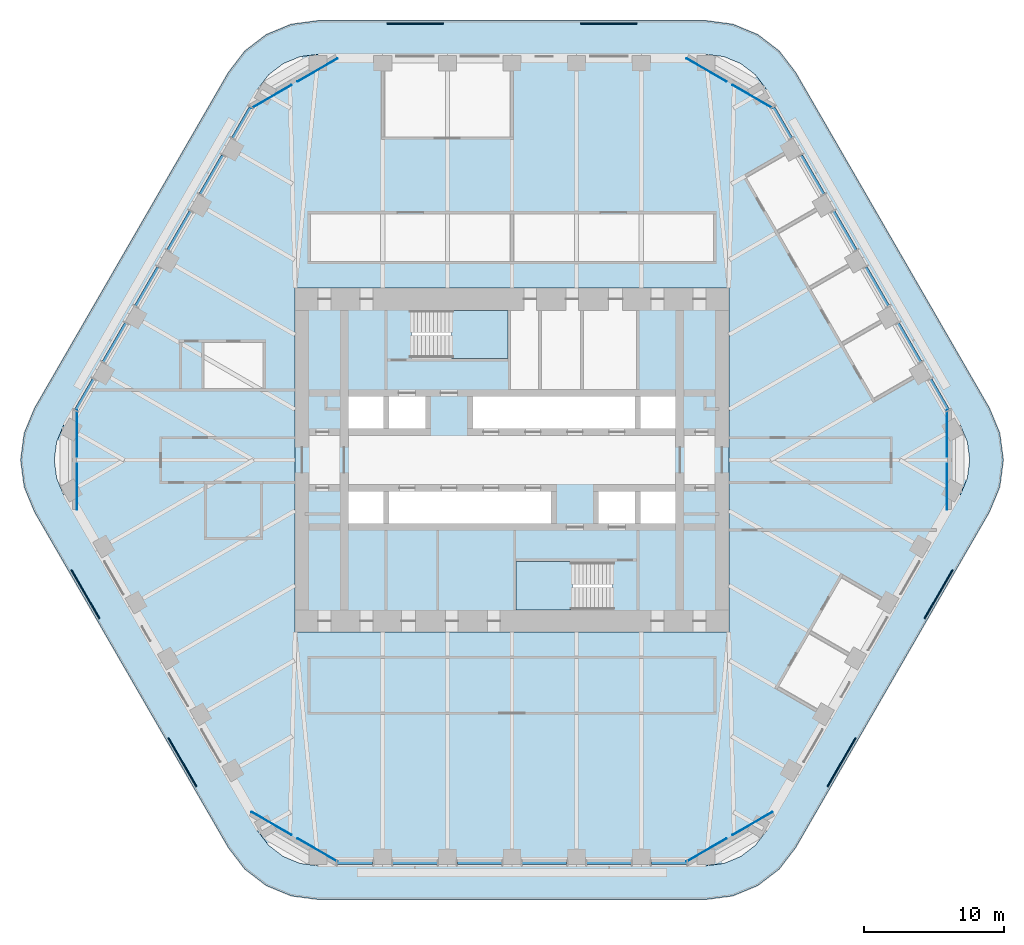
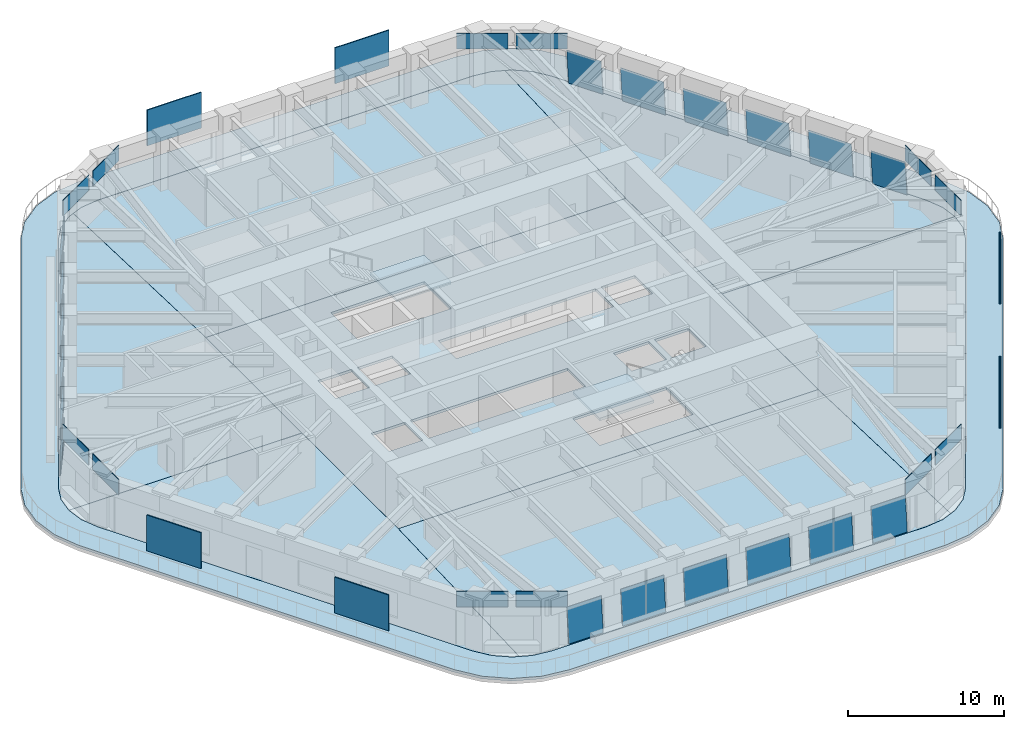
# One storey, part 13 of 20: 36 plates, 10 slabs, 20 elements without a shape of their own.
"""IFC4 building model written with IfcOpenShell, lengths in metres."""

import ifcopenshell
import ifcopenshell.guid

model = None  # the IFC model being written
_history = None  # IfcOwnerHistory: only IFC2X3 demands one
_inside = {}  # id of a spatial element -> (the spatial element, [elements in it])
_under = {}  # id of a project, library or spatial element -> (it, [spatial elements below it])
_declared = {}  # id of a project -> (the project, [libraries it declares])
_typed = {}  # id of a type object -> (the type object, [elements of that type])
_made_of = {}  # id of a material, layer set ... -> (it, [elements and type objects made of it])


def new_model(schema):
    """Start an empty IFC model of exactly this schema.

    Asked for "IFC4X3", IfcOpenShell would pick the latest addendum, in which some entities
    have other attributes; the version numbers below select the first issue.
    IFC2X3 requires an IfcOwnerHistory on every rooted entity: one is made here for all.
    """
    global model, _history
    if schema == "IFC4X3":
        model = ifcopenshell.file(schema_version=(4, 3, 0, 0))
    else:
        model = ifcopenshell.file(schema=schema)
    _inside.clear()
    _under.clear()
    _declared.clear()
    _typed.clear()
    _made_of.clear()
    _history = None
    if model.schema == "IFC2X3":
        org = make("IfcOrganization", Name="unknown")
        user = make(
            "IfcPersonAndOrganization",
            ThePerson=make("IfcPerson", FamilyName="unknown"),
            TheOrganization=org,
        )
        app = make(
            "IfcApplication",
            ApplicationDeveloper=org,
            Version="unknown",
            ApplicationFullName="unknown",
            ApplicationIdentifier="unknown",
        )
        _history = make(
            "IfcOwnerHistory",
            OwningUser=user,
            OwningApplication=app,
            ChangeAction="ADDED",
            CreationDate=0,
        )
    return model


def make(cls, **values):
    """One entity of the class cls with the attributes given. An attribute that is None is left unset."""
    return model.create_entity(
        cls, **{name: value for name, value in values.items() if value is not None}
    )


def rooted(cls, **values):
    """An entity with a GlobalId (a new one), such as an element, a storey or a relation."""
    return make(cls, GlobalId=ifcopenshell.guid.new(), OwnerHistory=_history, **values)


def si_unit(unit_type, name, prefix=None):
    """IfcSIUnit, for example si_unit("LENGTHUNIT", "METRE", prefix="MILLI")."""
    return make("IfcSIUnit", UnitType=unit_type, Prefix=prefix, Name=name)


def assignment(units):
    """IfcUnitAssignment: the units of a project."""
    return None if units is None else make("IfcUnitAssignment", Units=units)


def point(xyz):
    """IfcCartesianPoint."""
    return None if xyz is None else make("IfcCartesianPoint", Coordinates=xyz)


def direction(xyz):
    """IfcDirection."""
    return None if xyz is None else make("IfcDirection", DirectionRatios=xyz)


def frame(location, z_axis=None, x_axis=None):
    """IfcAxis2Placement3D, a coordinate frame: its origin and axes. An axis left out is left unset."""
    return make(
        "IfcAxis2Placement3D",
        Location=point(location),
        Axis=direction(z_axis),
        RefDirection=direction(x_axis),
    )


def frame_2d(location, x_axis=None):
    """IfcAxis2Placement2D, a coordinate frame in the plane: its origin and x axis."""
    return make(
        "IfcAxis2Placement2D", Location=point(location), RefDirection=direction(x_axis)
    )


def origin():
    """The frame at (0, 0, 0) with its axes left unset."""
    return frame((0.0, 0.0, 0.0))


def origin_2d():
    """The frame at (0, 0) in the plane with its x axis left unset."""
    return frame_2d((0.0, 0.0))


def place(relative_to, where):
    """IfcLocalPlacement: puts the frame where relative to a parent placement (None: the world)."""
    return make(
        "IfcLocalPlacement", PlacementRelTo=relative_to, RelativePlacement=where
    )


def context(
    kind, dimensions, precision=None, world=None, true_north=None, identifier=None
):
    """IfcGeometricRepresentationContext, for example the 3D "Model" context."""
    return make(
        "IfcGeometricRepresentationContext",
        ContextIdentifier=identifier,
        ContextType=kind,
        CoordinateSpaceDimension=dimensions,
        Precision=precision,
        WorldCoordinateSystem=world,
        TrueNorth=true_north,
    )


def subcontext(parent, identifier, kind, view, scale=None):
    """IfcGeometricRepresentationSubContext, for example "Body" below "Model"."""
    return make(
        "IfcGeometricRepresentationSubContext",
        ContextIdentifier=identifier,
        ContextType=kind,
        ParentContext=parent,
        TargetScale=scale,
        TargetView=view,
    )


def project(units=None, contexts=None):
    """IfcProject with its units and contexts."""
    return rooted(
        "IfcProject",
        Name="project",
        RepresentationContexts=contexts,
        UnitsInContext=assignment(units),
    )


def spatial(cls, under=None, at=None, **own):
    """A site, building, storey or space (cls), placed at a placement, below another one or the project."""
    s = rooted(cls, ObjectPlacement=at, **own)
    if under is not None:
        _under.setdefault(under.id(), (under, []))[1].append(s)
    return s


def polyline(points):
    """IfcPolyline through the points."""
    return make("IfcPolyline", Points=[point(p) for p in points])


def profile(cls, at=None, kind="AREA", **sizes):
    """A parametric profile (cls). Its sizes go by their IFC names, for example OverallWidth=200.0."""
    return make(cls, ProfileType=kind, Position=at, **sizes)


def rectangle(**sizes):
    """IfcRectangleProfileDef."""
    return profile("IfcRectangleProfileDef", **sizes)


def outline(outer, holes=None, kind="AREA"):
    """IfcArbitraryClosedProfileDef: a profile drawn as a closed curve; with holes, ...WithVoids."""
    if holes is None:
        return make("IfcArbitraryClosedProfileDef", ProfileType=kind, OuterCurve=outer)
    return make(
        "IfcArbitraryProfileDefWithVoids",
        ProfileType=kind,
        OuterCurve=outer,
        InnerCurves=holes,
    )


def extrude(swept, where, along, depth):
    """IfcExtrudedAreaSolid: the profile swept, set in the frame where, extruded along a direction by depth."""
    return make(
        "IfcExtrudedAreaSolid",
        SweptArea=swept,
        Position=where,
        ExtrudedDirection=direction(along),
        Depth=depth,
    )


def shape(context_of_items, identifier, shape_type, items):
    """IfcShapeRepresentation: the items that make up one representation, for example the "Body"."""
    return make(
        "IfcShapeRepresentation",
        ContextOfItems=context_of_items,
        RepresentationIdentifier=identifier,
        RepresentationType=shape_type,
        Items=items,
    )


def material(Name=None, Category=None):
    """IfcMaterial."""
    return make("IfcMaterial", Name=Name, Category=Category)


def layer(
    of_material, thickness, ventilated=None, Name=None, Category=None, Priority=None
):
    """IfcMaterialLayer: one layer of a wall or slab, of a material (None: an air gap)."""
    return make(
        "IfcMaterialLayer",
        Material=of_material,
        LayerThickness=thickness,
        IsVentilated=ventilated,
        Name=Name,
        Category=Category,
        Priority=Priority,
    )


def layer_set(layers, Name=None):
    """IfcMaterialLayerSet."""
    return make("IfcMaterialLayerSet", MaterialLayers=layers, LayerSetName=Name)


def made_of(thing, what):
    """Note that an element or type object is made of a material, layer set ...; save() writes the relation."""
    if what is not None:
        _made_of.setdefault(what.id(), (what, []))[1].append(thing)
    return thing


def type_object(cls, material=None, **own):
    """A type object (cls), such as IfcWallType, which elements share."""
    return made_of(rooted(cls, **own), material)


def element(
    cls,
    number,
    at=None,
    inside=None,
    cuts=None,
    type_object=None,
    material=None,
    context=None,
    identifier="Body",
    shape_type=None,
    held_by="IfcProductDefinitionShape",
    body=None,
    shapes=None,
    **own,
):
    """One element of the class cls, such as IfcWall. Its Tag is "e" and its number.

    at: its placement. inside: the storey or other place that contains it. cuts: it is an
    opening in that element (IfcRelVoidsElement). A single representation is given by context,
    identifier, shape_type and body (its items); several are given by shapes. held_by: the class
    of the entity that holds the representations. save() writes the other relations.
    """
    e = rooted(cls, Tag="e%d" % number, ObjectPlacement=at, **own)
    if body is not None:
        shapes = [shape(context, identifier, shape_type, body)]
    if shapes is not None:
        e.Representation = make(held_by, Representations=shapes)
    if inside is not None:
        _inside.setdefault(inside.id(), (inside, []))[1].append(e)
    if cuts is not None:
        rooted(
            "IfcRelVoidsElement", RelatingBuildingElement=cuts, RelatedOpeningElement=e
        )
    if type_object is not None:
        _typed.setdefault(type_object.id(), (type_object, []))[1].append(e)
    return made_of(e, material)


def aggregate(whole, parts):
    """IfcRelAggregates: a whole, such as a stair, and the parts it consists of."""
    return rooted("IfcRelAggregates", RelatingObject=whole, RelatedObjects=parts)


def save(model, path):
    """Write the relations noted so far, then the file.

    IfcRelAggregates (storeys below a building ...), IfcRelContainedInSpatialStructure (elements
    in a storey), IfcRelDefinesByType, IfcRelAssociatesMaterial and IfcRelDeclares: one each for
    every whole, place, type object, material and project.
    """
    for whole, parts in _under.values():
        aggregate(whole, parts)
    for where, things in _inside.values():
        rooted(
            "IfcRelContainedInSpatialStructure",
            RelatedElements=things,
            RelatingStructure=where,
        )
    for kind, things in _typed.values():
        rooted("IfcRelDefinesByType", RelatedObjects=things, RelatingType=kind)
    for what, things in _made_of.values():
        rooted("IfcRelAssociatesMaterial", RelatedObjects=things, RelatingMaterial=what)
    for by, libraries in _declared.values():
        rooted("IfcRelDeclares", RelatingContext=by, RelatedDefinitions=libraries)
    model.write(path)


model = new_model("IFC4")

# Units and contexts
model_context = context("Model", 3, precision=1e-05, world=origin(), true_north=direction((0.0, 1.0)))
body_context = subcontext(model_context, "Body", "Model", "MODEL_VIEW")
ifc_project = project(units=[si_unit("LENGTHUNIT", "METRE"), si_unit("AREAUNIT", "SQUARE_METRE"), si_unit("VOLUMEUNIT", "CUBIC_METRE"), si_unit("PLANEANGLEUNIT", "RADIAN"), si_unit("MASSUNIT", "GRAM", prefix="KILO")], contexts=[model_context])

# Site, building, storey
site_placement = place(None, origin())
site = spatial("IfcSite", under=ifc_project, at=site_placement, CompositionType="ELEMENT")
building_placement = place(site_placement, origin())
building = spatial("IfcBuilding", under=site, at=building_placement, Name="Tarfa Lantern Tower", CompositionType="ELEMENT")
storey_placement = place(building_placement, frame((0.0, 0.0, 236.5)))
storey = spatial("IfcBuildingStorey", under=building, at=storey_placement, Name="L53", CompositionType="ELEMENT", Elevation=236.5)

# Slab
ifc_material_1 = material(Name="Concrete C40/50", Category="concrete")
ifc_layer_1 = layer(ifc_material_1, 0.199951171875)
ifc_layer_set_1 = layer_set([ifc_layer_1], Name="BS2 BALCONY SLAB 200")
slab_type_1 = type_object("IfcSlabType", Name="BS2 BALCONY SLAB 200", PredefinedType="FLOOR", material=ifc_layer_set_1)
slab_1_placement = place(storey_placement, frame((0.0, 0.0, -0.199951171875)))
element("IfcSlab", 1, at=slab_1_placement, inside=storey, type_object=slab_type_1, Name="Balcony L53", PredefinedType="FLOOR", context=body_context, shape_type="SweptSolid", body=[
    extrude(outline(polyline([(34.121337890625, 3.699951171875), (20.264892578125, 27.699951171875), (19.089111328125, 29.232666015625), (17.556396484375, 30.40869140625), (15.771728515625, 31.14794921875), (13.8564453125, 31.39990234375), (-13.8564453125, 31.39990234375), (-15.771728515625, 31.14794921875), (-17.556396484375, 30.40869140625), (-19.089111328125, 29.232666015625), (-20.264892578125, 27.699951171875), (-34.121337890625, 3.699951171875), (-34.860595703125, 1.915283203125), (-35.11279296875, 0.0), (-34.860595703125, -1.915283203125), (-34.121337890625, -3.699951171875), (-20.264892578125, -27.699951171875), (-19.089111328125, -29.232666015625), (-17.556396484375, -30.40869140625), (-15.771728515625, -31.14794921875), (-13.8564453125, -31.39990234375), (13.8564453125, -31.39990234375), (15.771728515625, -31.14794921875), (17.556396484375, -30.40869140625), (19.089111328125, -29.232666015625), (20.264892578125, -27.699951171875), (34.121337890625, -3.699951171875), (34.860595703125, -1.915283203125), (35.11279296875, 0.0), (34.860595703125, 1.915283203125), (34.121337890625, 3.699951171875)]), holes=[polyline([(32.04296875, 2.5), (18.1865234375, 26.5), (17.391845703125, 27.53564453125), (16.3564453125, 28.330078125), (15.150390625, 28.82958984375), (13.8564453125, 29.0), (-13.8564453125, 29.0), (-15.150390625, 28.82958984375), (-16.3564453125, 28.330078125), (-17.391845703125, 27.53564453125), (-18.1865234375, 26.5), (-32.04296875, 2.5), (-32.54248046875, 1.294189453125), (-32.712890625, 0.0), (-32.54248046875, -1.294189453125), (-32.04296875, -2.5), (-18.1865234375, -26.5), (-17.391845703125, -27.53564453125), (-16.3564453125, -28.330078125), (-15.150390625, -28.82958984375), (-13.8564453125, -29.0), (13.8564453125, -29.0), (15.150390625, -28.82958984375), (16.3564453125, -28.330078125), (17.391845703125, -27.53564453125), (18.1865234375, -26.5), (32.04296875, -2.5), (32.54248046875, -1.294189453125), (32.712890625, 0.0), (32.54248046875, 1.294189453125), (32.04296875, 2.5)])]), origin(), (0.0, 0.0, 1.0), 0.199951171875),
])

# Curtain wall, plate
ifc_material_2 = material(Name="Aluminium framed curtain wall", Category="aluminium")
curtain_wall_type = type_object("IfcCurtainWallType", Name="CW3 CANTED GLAZING HIGH ZONE 2800", PredefinedType="USERDEFINED", material=ifc_material_2)
curtain_wall_1_placement = place(storey_placement, origin())
curtain_wall_1 = element("IfcCurtainWall", 2, at=curtain_wall_1_placement, inside=storey, type_object=curtain_wall_type, Name="CW3 NE L53", ObjectType="CURTAIN WALL", PredefinedType="USERDEFINED")
ifc_material_3 = material(Name="Laminated double glazing", Category="glass")
ifc_layer_2 = layer(ifc_material_3, 0.028076171875)
ifc_layer_set_2 = layer_set([ifc_layer_2], Name="CWP1 DOUBLE GLAZED PANEL")
plate_type_1 = type_object("IfcPlateType", Name="CWP1 DOUBLE GLAZED PANEL", PredefinedType="CURTAIN_PANEL", material=ifc_layer_set_2)
plate_1_placement = place(storey_placement, frame((31.27392578125, 3.632080078125, 0.0), z_axis=(0.862597812181, 0.498009918325, 0.088944565154), x_axis=(-0.499991881386, 0.86603009101, 3.688828e-06)))
plate_1 = element("IfcPlate", 3, at=plate_1_placement, type_object=plate_type_1, Name="CW3 panel 1.1", PredefinedType="CURTAIN_PANEL", context=body_context, shape_type="SweptSolid", body=[
    extrude(outline(polyline([(0.0, 0.0), (2.5389220661234515, 0.0), (2.5389267657622057, 2.7459815404071932), (0.0001267679691709482, 2.7460003457862903), (0.0, 0.0)])), origin(), (0.0, 0.0, -1.0), 0.028076171875),
])
aggregate(curtain_wall_1, [plate_1])

curtain_wall_2_placement = place(storey_placement, origin())
curtain_wall_2 = element("IfcCurtainWall", 4, at=curtain_wall_2_placement, inside=storey, type_object=curtain_wall_type, Name="CW3 NE L53", ObjectType="CURTAIN WALL", PredefinedType="USERDEFINED")
plate_2_placement = place(storey_placement, frame((29.28955078125, 7.069091796875, 0.0), z_axis=(0.862609034743, 0.49799047926, 0.088944565584), x_axis=(-0.499972306845, 0.86604139184, 2.936936e-06)))
plate_2 = element("IfcPlate", 5, at=plate_2_placement, type_object=plate_type_1, Name="CW3 panel 1.1", PredefinedType="CURTAIN_PANEL", context=body_context, shape_type="SweptSolid", body=[
    extrude(outline(polyline([(0.0, 0.0), (3.188959804808154, 0.0), (3.188956929880909, 2.745981540409657), (0.00011918862423093281, 2.746000346125675), (0.0, 0.0)])), origin(), (0.0, 0.0, -1.0), 0.028076171875),
])
aggregate(curtain_wall_2, [plate_2])

curtain_wall_3_placement = place(storey_placement, origin())
curtain_wall_3 = element("IfcCurtainWall", 6, at=curtain_wall_3_placement, inside=storey, type_object=curtain_wall_type, Name="CW3 NE L53", ObjectType="CURTAIN WALL", PredefinedType="USERDEFINED")
plate_3_placement = place(storey_placement, frame((26.97998046875, 11.069091796875, 0.0), z_axis=(0.862609034743, 0.49799047926, 0.088944565584), x_axis=(-0.499971852573, 0.866041654094, -2.937048e-06)))
plate_3 = element("IfcPlate", 7, at=plate_3_placement, type_object=plate_type_1, Name="CW3 panel 1.1", PredefinedType="CURTAIN_PANEL", context=body_context, shape_type="SweptSolid", body=[
    extrude(outline(polyline([(0.0, 0.0), (3.1888377413121303, 0.0), (3.188940735790754, 2.746000346780822), (-1.9068961945883972e-05, 2.745981540344952), (0.0, 0.0)])), origin(), (0.0, 0.0, -1.0), 0.028076171875),
])
aggregate(curtain_wall_3, [plate_3])

curtain_wall_4_placement = place(storey_placement, origin())
curtain_wall_4 = element("IfcCurtainWall", 8, at=curtain_wall_4_placement, inside=storey, type_object=curtain_wall_type, Name="CW3 NE L53", ObjectType="CURTAIN WALL", PredefinedType="USERDEFINED")
plate_4_placement = place(storey_placement, frame((24.670654296875, 15.069091796875, 0.0), z_axis=(0.862595478395, 0.498020780534, 0.088906371022), x_axis=(-0.500000789788, 0.8660249478, 0.0)))
plate_4 = element("IfcPlate", 9, at=plate_4_placement, type_object=plate_type_1, Name="CW3 panel 1.1", PredefinedType="CURTAIN_PANEL", context=body_context, shape_type="SweptSolid", body=[
    extrude(outline(polyline([(0.0, 0.0), (3.1889598065466314, 2.7755575615628914e-17), (3.1889569281424333, 2.74598154242858), (-2.8784041983250337e-06, 2.74598154242858), (0.0, 0.0)])), origin(), (0.0, 0.0, -1.0), 0.028076171875),
])
aggregate(curtain_wall_4, [plate_4])

curtain_wall_5_placement = place(storey_placement, origin())
curtain_wall_5 = element("IfcCurtainWall", 10, at=curtain_wall_5_placement, inside=storey, type_object=curtain_wall_type, Name="CW3 NE L53", ObjectType="CURTAIN WALL", PredefinedType="USERDEFINED")
plate_5_placement = place(storey_placement, frame((22.361328125, 19.069091796875, 0.0), z_axis=(0.862609034743, 0.49799047926, 0.088944565584), x_axis=(-0.499972306845, 0.86604139184, 2.936936e-06)))
plate_5 = element("IfcPlate", 11, at=plate_5_placement, type_object=plate_type_1, Name="CW3 panel 1.1", PredefinedType="CURTAIN_PANEL", context=body_context, shape_type="SweptSolid", body=[
    extrude(outline(polyline([(0.0, 0.0), (3.188959804808154, 0.0), (3.188956929880909, 2.745981540409657), (0.00011918862423093281, 2.746000346125675), (0.0, 0.0)])), origin(), (0.0, 0.0, -1.0), 0.028076171875),
])
aggregate(curtain_wall_5, [plate_5])

curtain_wall_6_placement = place(storey_placement, origin())
curtain_wall_6 = element("IfcCurtainWall", 12, at=curtain_wall_6_placement, inside=storey, type_object=curtain_wall_type, Name="CW3 NE L53", ObjectType="CURTAIN WALL", PredefinedType="USERDEFINED")
plate_6_placement = place(storey_placement, frame((20.0517578125, 23.069091796875, 0.0), z_axis=(0.862621501949, 0.497975703823, 0.088906370847), x_axis=(-0.499955533855, 0.866051074803, 0.0)))
plate_6 = element("IfcPlate", 13, at=plate_6_placement, type_object=plate_type_1, Name="CW3 panel 1.1", PredefinedType="CURTAIN_PANEL", context=body_context, shape_type="SweptSolid", body=[
    extrude(outline(polyline([(0.0, 0.0), (2.538800000046309, -1.3877787807814457e-17), (2.538784364039763, 2.745981542385572), (-1.5636006546276837e-05, 2.745981542385572), (0.0, 0.0)])), origin(), (0.0, 0.0, -1.0), 0.028076171875),
])
aggregate(curtain_wall_6, [plate_6])

curtain_wall_7_placement = place(storey_placement, origin())
curtain_wall_7 = element("IfcCurtainWall", 14, at=curtain_wall_7_placement, inside=storey, type_object=curtain_wall_type, Name="CW3 NW L53", ObjectType="CURTAIN WALL", PredefinedType="USERDEFINED")
plate_7_placement = place(storey_placement, frame((-18.782470703125, 25.267822265625, 0.0), z_axis=(-0.862621501949, 0.497975703823, 0.088906370847), x_axis=(-0.499955533855, -0.866051074803, 0.0)))
plate_7 = element("IfcPlate", 15, at=plate_7_placement, type_object=plate_type_1, Name="CW3 panel 1.1", PredefinedType="CURTAIN_PANEL", context=body_context, shape_type="SweptSolid", body=[
    extrude(outline(polyline([(0.0, 0.0), (2.538800000046309, 1.3877787807814457e-17), (2.5388156360528553, 2.745981542385572), (1.5636006546276837e-05, 2.745981542385572), (0.0, 0.0)])), origin(), (0.0, 0.0, -1.0), 0.028076171875),
])
aggregate(curtain_wall_7, [plate_7])

curtain_wall_8_placement = place(storey_placement, origin())
curtain_wall_8 = element("IfcCurtainWall", 16, at=curtain_wall_8_placement, inside=storey, type_object=curtain_wall_type, Name="CW3 NW L53", ObjectType="CURTAIN WALL", PredefinedType="USERDEFINED")
plate_8_placement = place(storey_placement, frame((-20.766845703125, 21.830810546875, 0.0), z_axis=(-0.862609034743, 0.49799047926, 0.088944565584), x_axis=(-0.499972306845, -0.86604139184, -2.936936e-06)))
plate_8 = element("IfcPlate", 17, at=plate_8_placement, type_object=plate_type_1, Name="CW3 panel 1.1", PredefinedType="CURTAIN_PANEL", context=body_context, shape_type="SweptSolid", body=[
    extrude(outline(polyline([(0.0, 0.0), (3.188959804808154, 0.0), (3.1888406161839233, 2.746000346125675), (2.874927244868359e-06, 2.745981540409657), (0.0, 0.0)])), origin(), (0.0, 0.0, -1.0), 0.028076171875),
])
aggregate(curtain_wall_8, [plate_8])

curtain_wall_9_placement = place(storey_placement, origin())
curtain_wall_9 = element("IfcCurtainWall", 18, at=curtain_wall_9_placement, inside=storey, type_object=curtain_wall_type, Name="CW3 NW L53", ObjectType="CURTAIN WALL", PredefinedType="USERDEFINED")
plate_9_placement = place(storey_placement, frame((-23.076171875, 17.830810546875, 0.0), z_axis=(-0.862595478395, 0.498020780534, 0.088906371022), x_axis=(-0.500000789788, -0.8660249478, 0.0)))
plate_9 = element("IfcPlate", 19, at=plate_9_placement, type_object=plate_type_1, Name="CW3 panel 1.1", PredefinedType="CURTAIN_PANEL", context=body_context, shape_type="SweptSolid", body=[
    extrude(outline(polyline([(0.0, 0.0), (3.1889598065466314, -2.7755575615628914e-17), (3.1889626849508295, 2.74598154242858), (2.8784041983250337e-06, 2.74598154242858), (0.0, 0.0)])), origin(), (0.0, 0.0, -1.0), 0.028076171875),
])
aggregate(curtain_wall_9, [plate_9])

curtain_wall_10_placement = place(storey_placement, origin())
curtain_wall_10 = element("IfcCurtainWall", 20, at=curtain_wall_10_placement, inside=storey, type_object=curtain_wall_type, Name="CW3 NW L53", ObjectType="CURTAIN WALL", PredefinedType="USERDEFINED")
plate_10_placement = place(storey_placement, frame((-25.3857421875, 13.830810546875, 0.0), z_axis=(-0.862609034743, 0.49799047926, 0.088944565584), x_axis=(-0.499971852573, -0.866041654094, 2.937048e-06)))
plate_10 = element("IfcPlate", 21, at=plate_10_placement, type_object=plate_type_1, Name="CW3 panel 1.1", PredefinedType="CURTAIN_PANEL", context=body_context, shape_type="SweptSolid", body=[
    extrude(outline(polyline([(0.0, 0.0), (3.1888377413121303, 0.0), (3.1888568102740757, 2.745981540344952), (-0.00010299447862375795, 2.746000346780822), (0.0, 0.0)])), origin(), (0.0, 0.0, -1.0), 0.028076171875),
])
aggregate(curtain_wall_10, [plate_10])

curtain_wall_11_placement = place(storey_placement, origin())
curtain_wall_11 = element("IfcCurtainWall", 22, at=curtain_wall_11_placement, inside=storey, type_object=curtain_wall_type, Name="CW3 NW L53", ObjectType="CURTAIN WALL", PredefinedType="USERDEFINED")
plate_11_placement = place(storey_placement, frame((-27.695068359375, 9.830810546875, 0.0), z_axis=(-0.862609034743, 0.49799047926, 0.088944565584), x_axis=(-0.499972306845, -0.86604139184, -2.936936e-06)))
plate_11 = element("IfcPlate", 23, at=plate_11_placement, type_object=plate_type_1, Name="CW3 panel 1.1", PredefinedType="CURTAIN_PANEL", context=body_context, shape_type="SweptSolid", body=[
    extrude(outline(polyline([(0.0, 0.0), (3.188959804808154, 0.0), (3.1888406161839233, 2.746000346125675), (2.874927244868359e-06, 2.745981540409657), (0.0, 0.0)])), origin(), (0.0, 0.0, -1.0), 0.028076171875),
])
aggregate(curtain_wall_11, [plate_11])

curtain_wall_12_placement = place(storey_placement, origin())
curtain_wall_12 = element("IfcCurtainWall", 24, at=curtain_wall_12_placement, inside=storey, type_object=curtain_wall_type, Name="CW3 NW L53", ObjectType="CURTAIN WALL", PredefinedType="USERDEFINED")
plate_12_placement = place(storey_placement, frame((-30.00439453125, 5.830810546875, 0.0), z_axis=(-0.862597812181, 0.498009918325, 0.088944565154), x_axis=(-0.499991881386, -0.86603009101, -3.688828e-06)))
plate_12 = element("IfcPlate", 25, at=plate_12_placement, type_object=plate_type_1, Name="CW3 panel 1.1", PredefinedType="CURTAIN_PANEL", context=body_context, shape_type="SweptSolid", body=[
    extrude(outline(polyline([(0.0, 0.0), (2.5389220661234515, 0.0), (2.538795298154281, 2.7460003457862903), (-4.6996387543900236e-06, 2.7459815404071932), (0.0, 0.0)])), origin(), (0.0, 0.0, -1.0), 0.028076171875),
])
aggregate(curtain_wall_12, [plate_12])

curtain_wall_13_placement = place(storey_placement, origin())
curtain_wall_13 = element("IfcCurtainWall", 26, at=curtain_wall_13_placement, inside=storey, type_object=curtain_wall_type, Name="CW3 S L53", ObjectType="CURTAIN WALL", PredefinedType="USERDEFINED")
plate_13_placement = place(storey_placement, frame((-12.491455078125, -28.89990234375, 0.0), z_axis=(0.0, -0.996039814532, 0.088908311571), x_axis=(1.0, 0.0, 0.0)))
plate_13 = element("IfcPlate", 27, at=plate_13_placement, type_object=plate_type_1, Name="CW3 panel 1.1", PredefinedType="CURTAIN_PANEL", context=body_context, shape_type="SweptSolid", body=[
    extrude(outline(polyline([(0.0, 0.0), (2.538818359375, 0.0), (2.538818359375, 2.745982019965007), (0.0, 2.745982019965007), (0.0, 0.0)])), origin(), (0.0, 0.0, -1.0), 0.028076171875),
])
aggregate(curtain_wall_13, [plate_13])

curtain_wall_14_placement = place(storey_placement, origin())
curtain_wall_14 = element("IfcCurtainWall", 28, at=curtain_wall_14_placement, inside=storey, type_object=curtain_wall_type, Name="CW3 S L53", ObjectType="CURTAIN WALL", PredefinedType="USERDEFINED")
plate_14_placement = place(storey_placement, frame((-8.522705078125, -28.89990234375, 0.0), z_axis=(0.0, -0.996039814532, 0.088908311571), x_axis=(1.0, 0.0, 0.0)))
plate_14 = element("IfcPlate", 29, at=plate_14_placement, type_object=plate_type_1, Name="CW3 panel 1.1", PredefinedType="CURTAIN_PANEL", context=body_context, shape_type="SweptSolid", body=[
    extrude(outline(polyline([(0.0, 0.0), (3.18896484375, 0.0), (3.18896484375, 2.745982019965007), (0.0, 2.745982019965007), (0.0, 0.0)])), origin(), (0.0, 0.0, -1.0), 0.028076171875),
])
aggregate(curtain_wall_14, [plate_14])

curtain_wall_15_placement = place(storey_placement, origin())
curtain_wall_15 = element("IfcCurtainWall", 30, at=curtain_wall_15_placement, inside=storey, type_object=curtain_wall_type, Name="CW3 S L53", ObjectType="CURTAIN WALL", PredefinedType="USERDEFINED")
plate_15_placement = place(storey_placement, frame((-3.90380859375, -28.89990234375, 0.0), z_axis=(0.0, -0.996039814532, 0.088908311571), x_axis=(1.0, 0.0, 0.0)))
plate_15 = element("IfcPlate", 31, at=plate_15_placement, type_object=plate_type_1, Name="CW3 panel 1.1", PredefinedType="CURTAIN_PANEL", context=body_context, shape_type="SweptSolid", body=[
    extrude(outline(polyline([(0.0, 0.0), (3.188720703125, 0.0), (3.188720703125, 2.745982019965007), (0.0, 2.745982019965007), (0.0, 0.0)])), origin(), (0.0, 0.0, -1.0), 0.028076171875),
])
aggregate(curtain_wall_15, [plate_15])

curtain_wall_16_placement = place(storey_placement, origin())
curtain_wall_16 = element("IfcCurtainWall", 32, at=curtain_wall_16_placement, inside=storey, type_object=curtain_wall_type, Name="CW3 S L53", ObjectType="CURTAIN WALL", PredefinedType="USERDEFINED")
plate_16_placement = place(storey_placement, frame((0.715087890625, -28.89990234375, 0.0), z_axis=(0.0, -0.996039814532, 0.088908311571), x_axis=(1.0, 0.0, 0.0)))
plate_16 = element("IfcPlate", 33, at=plate_16_placement, type_object=plate_type_1, Name="CW3 panel 1.1", PredefinedType="CURTAIN_PANEL", context=body_context, shape_type="SweptSolid", body=[
    extrude(outline(polyline([(0.0, 0.0), (3.188720703125, 0.0), (3.188720703125, 2.745982019965007), (0.0, 2.745982019965007), (0.0, 0.0)])), origin(), (0.0, 0.0, -1.0), 0.028076171875),
])
aggregate(curtain_wall_16, [plate_16])

curtain_wall_17_placement = place(storey_placement, origin())
curtain_wall_17 = element("IfcCurtainWall", 34, at=curtain_wall_17_placement, inside=storey, type_object=curtain_wall_type, Name="CW3 S L53", ObjectType="CURTAIN WALL", PredefinedType="USERDEFINED")
plate_17_placement = place(storey_placement, frame((5.333740234375, -28.89990234375, 0.0), z_axis=(0.0, -0.996039814532, 0.088908311571), x_axis=(1.0, 0.0, 0.0)))
plate_17 = element("IfcPlate", 35, at=plate_17_placement, type_object=plate_type_1, Name="CW3 panel 1.1", PredefinedType="CURTAIN_PANEL", context=body_context, shape_type="SweptSolid", body=[
    extrude(outline(polyline([(0.0, 0.0), (3.18896484375, 0.0), (3.18896484375, 2.745982019965007), (0.0, 2.745982019965007), (0.0, 0.0)])), origin(), (0.0, 0.0, -1.0), 0.028076171875),
])
aggregate(curtain_wall_17, [plate_17])

curtain_wall_18_placement = place(storey_placement, origin())
curtain_wall_18 = element("IfcCurtainWall", 36, at=curtain_wall_18_placement, inside=storey, type_object=curtain_wall_type, Name="CW3 S L53", ObjectType="CURTAIN WALL", PredefinedType="USERDEFINED")
plate_18_placement = place(storey_placement, frame((9.95263671875, -28.89990234375, 0.0), z_axis=(0.0, -0.996039814532, 0.088908311571), x_axis=(1.0, 0.0, 0.0)))
plate_18 = element("IfcPlate", 37, at=plate_18_placement, type_object=plate_type_1, Name="CW3 panel 1.1", PredefinedType="CURTAIN_PANEL", context=body_context, shape_type="SweptSolid", body=[
    extrude(outline(polyline([(0.0, 0.0), (2.538818359375, 0.0), (2.538818359375, 2.745982019965007), (0.0, 2.745982019965007), (0.0, 0.0)])), origin(), (0.0, 0.0, -1.0), 0.028076171875),
])
aggregate(curtain_wall_18, [plate_18])

# Slabs
ifc_layer_3 = layer(ifc_material_1, 0.199951171875)
ifc_layer_set_3 = layer_set([ifc_layer_3], Name="FS1 FLOOR SLAB 200")
slab_type_2 = type_object("IfcSlabType", Name="FS1 FLOOR SLAB 200", PredefinedType="FLOOR", material=ifc_layer_set_3)
slab_2_placement = place(storey_placement, frame((0.0, 0.0, -0.199951171875)))
element("IfcSlab", 38, at=slab_2_placement, inside=storey, type_object=slab_type_2, Name="Floor slab L53", PredefinedType="FLOOR", context=body_context, shape_type="SweptSolid", body=[
    extrude(outline(polyline([(-15.5, -12.300048828125), (15.5, -12.300048828125), (15.5, 12.300048828125), (-15.5, 12.300048828125), (-15.5, -12.300048828125)]), holes=[polyline([(-11.699951171875, 2.25), (-9.199951171875, 2.25), (-9.199951171875, 4.550048828125), (-11.699951171875, 4.550048828125), (-11.699951171875, 2.25)]), polyline([(-8.800048828125, 2.25), (-6.199951171875, 2.25), (-6.199951171875, 4.550048828125), (-8.800048828125, 4.550048828125), (-8.800048828125, 2.25)]), polyline([(-2.800048828125, 2.25), (8.800048828125, 2.25), (8.800048828125, 4.550048828125), (-2.800048828125, 4.550048828125), (-2.800048828125, 2.25)]), polyline([(9.199951171875, 2.25), (11.699951171875, 2.25), (11.699951171875, 4.550048828125), (9.199951171875, 4.550048828125), (9.199951171875, 2.25)]), polyline([(11.699951171875, -2.25), (9.199951171875, -2.25), (9.199951171875, -4.550048828125), (11.699951171875, -4.550048828125), (11.699951171875, -2.25)]), polyline([(8.800048828125, -2.25), (6.199951171875, -2.25), (6.199951171875, -4.550048828125), (8.800048828125, -4.550048828125), (8.800048828125, -2.25)]), polyline([(2.800048828125, -2.25), (-8.800048828125, -2.25), (-8.800048828125, -4.550048828125), (2.800048828125, -4.550048828125), (2.800048828125, -2.25)]), polyline([(-9.199951171875, -2.25), (-11.699951171875, -2.25), (-11.699951171875, -4.550048828125), (-9.199951171875, -4.550048828125), (-9.199951171875, -2.25)]), polyline([(-7.199951171875, 7.25), (-0.300048828125, 7.25), (-0.300048828125, 10.699951171875), (-7.199951171875, 10.699951171875), (-7.199951171875, 7.25)]), polyline([(7.199951171875, -7.25), (0.300048828125, -7.25), (0.300048828125, -10.699951171875), (7.199951171875, -10.699951171875), (7.199951171875, -7.25)])]), origin(), (0.0, 0.0, 1.0), 0.199951171875),
])
slab_3_placement = place(storey_placement, frame((0.0, 0.0, -0.199951171875)))
element("IfcSlab", 39, at=slab_3_placement, inside=storey, type_object=slab_type_2, Name="Floor slab L53 NE bay", PredefinedType="FLOOR", context=body_context, shape_type="SweptSolid", body=[
    extrude(outline(polyline([(32.041259765625, 2.4990234375), (18.184814453125, 26.498779296875), (17.390625, 27.5341796875), (16.35546875, 28.328369140625), (15.927490234375, 28.505615234375), (15.501953125, 12.300048828125), (15.501953125, 0.001953125), (32.71044921875, 0.001953125), (32.54052734375, 1.29345703125), (32.041259765625, 2.4990234375)])), origin(), (0.0, 0.0, 1.0), 0.199951171875),
])
slab_4_placement = place(storey_placement, frame((0.0, 0.0, -0.199951171875)))
element("IfcSlab", 40, at=slab_4_placement, inside=storey, type_object=slab_type_2, Name="Floor slab L53 N bay", PredefinedType="FLOOR", context=body_context, shape_type="SweptSolid", body=[
    extrude(outline(polyline([(-15.498046875, 12.302001953125), (15.498046875, 12.302001953125), (15.923583984375, 28.50732421875), (15.14990234375, 28.82763671875), (13.856201171875, 28.998046875), (-13.856201171875, 28.998046875), (-15.14990234375, 28.82763671875), (-15.923583984375, 28.50732421875), (-15.498046875, 12.302001953125)])), origin(), (0.0, 0.0, 1.0), 0.199951171875),
])
slab_5_placement = place(storey_placement, frame((0.0, 0.0, -0.199951171875)))
element("IfcSlab", 41, at=slab_5_placement, inside=storey, type_object=slab_type_2, Name="Floor slab L53 NW bay", PredefinedType="FLOOR", context=body_context, shape_type="SweptSolid", body=[
    extrude(outline(polyline([(-15.501953125, 0.001953125), (-15.501953125, 12.300048828125), (-15.927490234375, 28.505615234375), (-16.35546875, 28.328369140625), (-17.390625, 27.5341796875), (-18.184814453125, 26.498779296875), (-32.041259765625, 2.4990234375), (-32.54052734375, 1.29345703125), (-32.71044921875, 0.001953125), (-15.501953125, 0.001953125)])), origin(), (0.0, 0.0, 1.0), 0.199951171875),
])
slab_6_placement = place(storey_placement, frame((0.0, 0.0, -0.199951171875)))
element("IfcSlab", 42, at=slab_6_placement, inside=storey, type_object=slab_type_2, Name="Floor slab L53 SW bay", PredefinedType="FLOOR", context=body_context, shape_type="SweptSolid", body=[
    extrude(outline(polyline([(-15.501953125, -12.300048828125), (-15.501953125, -0.001953125), (-32.71044921875, -0.001953125), (-32.54052734375, -1.29345703125), (-32.041259765625, -2.4990234375), (-18.184814453125, -26.498779296875), (-17.390625, -27.5341796875), (-16.35546875, -28.328369140625), (-15.927490234375, -28.505615234375), (-15.501953125, -12.300048828125)])), origin(), (0.0, 0.0, 1.0), 0.199951171875),
])
slab_7_placement = place(storey_placement, frame((0.0, 0.0, -0.199951171875)))
element("IfcSlab", 43, at=slab_7_placement, inside=storey, type_object=slab_type_2, Name="Floor slab L53 S bay", PredefinedType="FLOOR", context=body_context, shape_type="SweptSolid", body=[
    extrude(outline(polyline([(15.498046875, -12.302001953125), (-15.498046875, -12.302001953125), (-15.923583984375, -28.50732421875), (-15.14990234375, -28.82763671875), (-13.856201171875, -28.998046875), (13.856201171875, -28.998046875), (15.14990234375, -28.82763671875), (15.923583984375, -28.50732421875), (15.498046875, -12.302001953125)])), origin(), (0.0, 0.0, 1.0), 0.199951171875),
])
slab_8_placement = place(storey_placement, frame((0.0, 0.0, -0.199951171875)))
element("IfcSlab", 44, at=slab_8_placement, inside=storey, type_object=slab_type_2, Name="Floor slab L53 SE bay", PredefinedType="FLOOR", context=body_context, shape_type="SweptSolid", body=[
    extrude(outline(polyline([(15.501953125, -0.001953125), (15.501953125, -12.300048828125), (15.927490234375, -28.505615234375), (16.35546875, -28.328369140625), (17.390625, -27.5341796875), (18.184814453125, -26.498779296875), (32.041259765625, -2.4990234375), (32.54052734375, -1.29345703125), (32.71044921875, -0.001953125), (15.501953125, -0.001953125)])), origin(), (0.0, 0.0, 1.0), 0.199951171875),
])

# Plates
ifc_material_4 = material(Name="Aluminium fascia panel", Category="aluminium")
ifc_layer_4 = layer(ifc_material_4, 0.050048828125)
ifc_layer_set_4 = layer_set([ifc_layer_4], Name="LF1 LOGGIA HEAD FASCIA 50")
plate_type_2 = type_object("IfcPlateType", Name="LF1 LOGGIA HEAD FASCIA 50", PredefinedType="USERDEFINED", material=ifc_layer_set_4)
for number, where, z_axis, x_axis, name in (
    (45, (17.18994140625, 25.972900390625, 2.7998046875), (0.0, 0.0, 1.0), (-0.866025403784, 0.5, 0.0), "Garden head fascia NE-N"),
    (46, (13.898193359375, 27.873291015625, 2.7998046875), (0.0, 0.0, 1.0), (-0.866025403784, 0.5, 0.0), "Garden head fascia NE-N"),
    (47, (-13.898193359375, 27.873291015625, 2.7998046875), (0.0, 0.0, 1.0), (-0.866025403784, -0.5, 0.0), "Garden head fascia N-NW"),
    (48, (-17.18994140625, 25.972900390625, 2.7998046875), (0.0, 0.0, 1.0), (-0.866025403784, -0.5, 0.0), "Garden head fascia N-NW"),
    (49, (-31.088134765625, 1.900390625, 2.7998046875), (0.0, 0.0, 1.0), (0.0, -1.0, 0.0), "Garden head fascia NW-SW"),
    (50, (-31.088134765625, -1.900390625, 2.7998046875), (0.0, 0.0, 1.0), (0.0, -1.0, 0.0), "Garden head fascia NW-SW"),
    (51, (-17.18994140625, -25.972900390625, 2.7998046875), (0.0, 0.0, 1.0), (0.866025403784, -0.5, 0.0), "Garden head fascia SW-S"),
    (52, (-13.898193359375, -27.873291015625, 2.7998046875), (0.0, 0.0, 1.0), (0.866025403784, -0.5, 0.0), "Garden head fascia SW-S"),
    (53, (13.898193359375, -27.873291015625, 2.7998046875), (0.0, 0.0, 1.0), (0.866025403784, 0.5, 0.0), "Garden head fascia S-SE"),
    (54, (17.18994140625, -25.972900390625, 2.7998046875), (0.0, 0.0, 1.0), (0.866025403784, 0.5, 0.0), "Garden head fascia S-SE"),
    (55, (31.088134765625, -1.900390625, 2.7998046875), (0.0, 0.0, 1.0), (0.0, 1.0, 0.0), "Garden head fascia SE-NE"),
    (56, (31.088134765625, 1.900390625, 2.7998046875), (0.0, 0.0, 1.0), (0.0, 1.0, 0.0), "Garden head fascia SE-NE"),
):
    element("IfcPlate", number, at=place(storey_placement, frame(where, z_axis=z_axis, x_axis=x_axis)), inside=storey, type_object=plate_type_2, Name=name, ObjectType="FASCIA", PredefinedType="USERDEFINED", context=body_context, shape_type="SweptSolid", body=[
        extrude(rectangle(XDim=3.30078125, YDim=0.050048828125, at=origin_2d()), origin(), (0.0, 0.0, 1.0), 1.199951171875),
    ])
ifc_material_5 = material(Name="Perforated limestone screen", Category="masonry")
ifc_layer_5 = layer(ifc_material_5, 0.080078125)
ifc_layer_set_5 = layer_set([ifc_layer_5], Name="SC1 STONE SCREEN 80")
plate_type_3 = type_object("IfcPlateType", Name="SC1 STONE SCREEN 80", PredefinedType="USERDEFINED", material=ifc_layer_set_5)
for number, where, z_axis, x_axis, name in (
    (57, (6.92822265625, 31.199951171875, 1.2001953125), (0.0, 0.0, 1.0), (-1.0, 0.0, 0.0), "Stone screen N 1"),
    (58, (-6.92822265625, 31.199951171875, 1.2001953125), (0.0, 0.0, 1.0), (-1.0, 0.0, 0.0), "Stone screen N 2"),
    (59, (-30.484130859375, -9.60009765625, 1.2001953125), (0.0, 0.0, 1.0), (0.5, -0.866025403784, 0.0), "Stone screen SW 1"),
    (60, (-23.555908203125, -21.60009765625, 1.2001953125), (0.0, 0.0, 1.0), (0.5, -0.866025403784, 0.0), "Stone screen SW 2"),
    (61, (23.555908203125, -21.60009765625, 1.2001953125), (0.0, 0.0, 1.0), (0.5, 0.866025403784, 0.0), "Stone screen SE 1"),
    (62, (30.484130859375, -9.60009765625, 1.2001953125), (0.0, 0.0, 1.0), (0.5, 0.866025403784, 0.0), "Stone screen SE 2"),
):
    element("IfcPlate", number, at=place(storey_placement, frame(where, z_axis=z_axis, x_axis=x_axis)), inside=storey, type_object=plate_type_3, Name=name, ObjectType="SCREEN", PredefinedType="USERDEFINED", context=body_context, shape_type="SweptSolid", body=[
        extrude(rectangle(XDim=4.0, YDim=0.080078125, at=origin_2d()), origin(), (0.0, 0.0, 1.0), 2.800048828125),
    ])

# Stair, slab
stair_type = type_object("IfcStairType", Name="ST-T10 HALF-TURN STAIR 4200 RISE", PredefinedType="HALF_TURN_STAIR", material=ifc_material_1)
stair_1_placement = place(storey_placement, origin())
stair_1 = element("IfcStair", 63, at=stair_1_placement, inside=storey, type_object=stair_type, Name="Stair ST1", PredefinedType="HALF_TURN_STAIR")
ifc_layer_6 = layer(ifc_material_1, 0.199951171875)
ifc_layer_set_6 = layer_set([ifc_layer_6], Name="SL1 STAIR LANDING 200")
slab_type_3 = type_object("IfcSlabType", Name="SL1 STAIR LANDING 200", PredefinedType="LANDING", material=ifc_layer_set_6)
slab_9_placement = place(storey_placement, frame((0.0, 0.0, 1.89990234375)))
slab_9 = element("IfcSlab", 64, at=slab_9_placement, type_object=slab_type_3, Name="ST1 landing 1", PredefinedType="LANDING", context=body_context, shape_type="SweptSolid", body=[
    extrude(outline(polyline([(-4.320068359375, 7.25), (-0.300048828125, 7.25), (-0.300048828125, 10.699951171875), (-4.320068359375, 10.699951171875), (-4.320068359375, 7.25)])), origin(), (0.0, 0.0, 1.0), 0.2001953125),
])
aggregate(stair_1, [slab_9])

stair_2_placement = place(storey_placement, origin())
stair_2 = element("IfcStair", 65, at=stair_2_placement, inside=storey, type_object=stair_type, Name="Stair ST2", PredefinedType="HALF_TURN_STAIR")
slab_10_placement = place(storey_placement, frame((0.0, 0.0, 1.89990234375)))
slab_10 = element("IfcSlab", 66, at=slab_10_placement, type_object=slab_type_3, Name="ST2 landing 1", PredefinedType="LANDING", context=body_context, shape_type="SweptSolid", body=[
    extrude(outline(polyline([(4.320068359375, -7.25), (0.300048828125, -7.25), (0.300048828125, -10.699951171875), (4.320068359375, -10.699951171875), (4.320068359375, -7.25)])), origin(), (0.0, 0.0, 1.0), 0.2001953125),
])
aggregate(stair_2, [slab_10])

save(model, "model.ifc")
